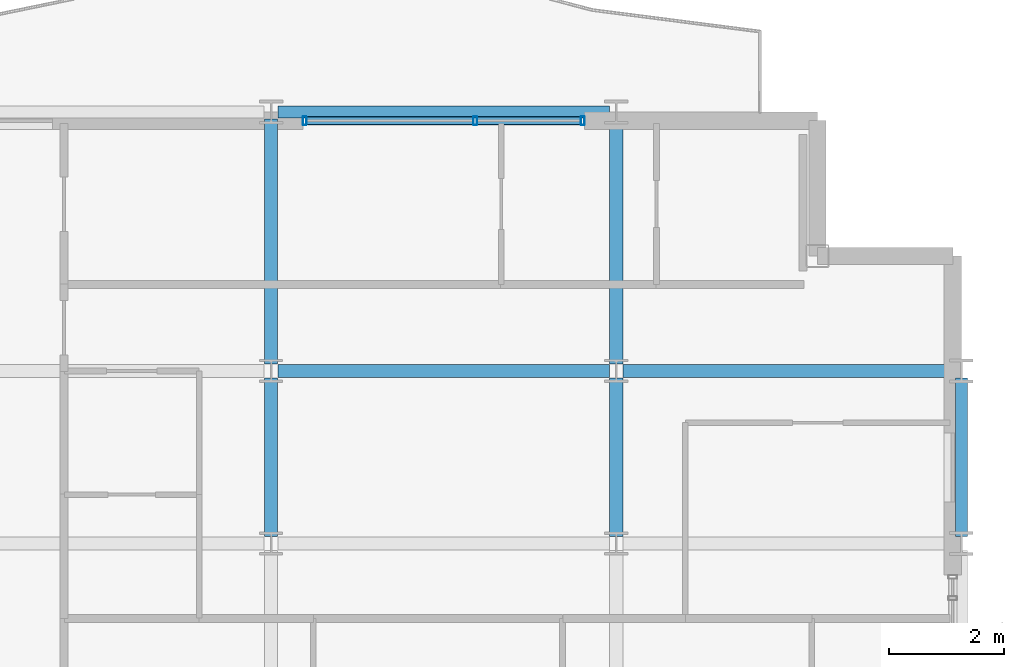
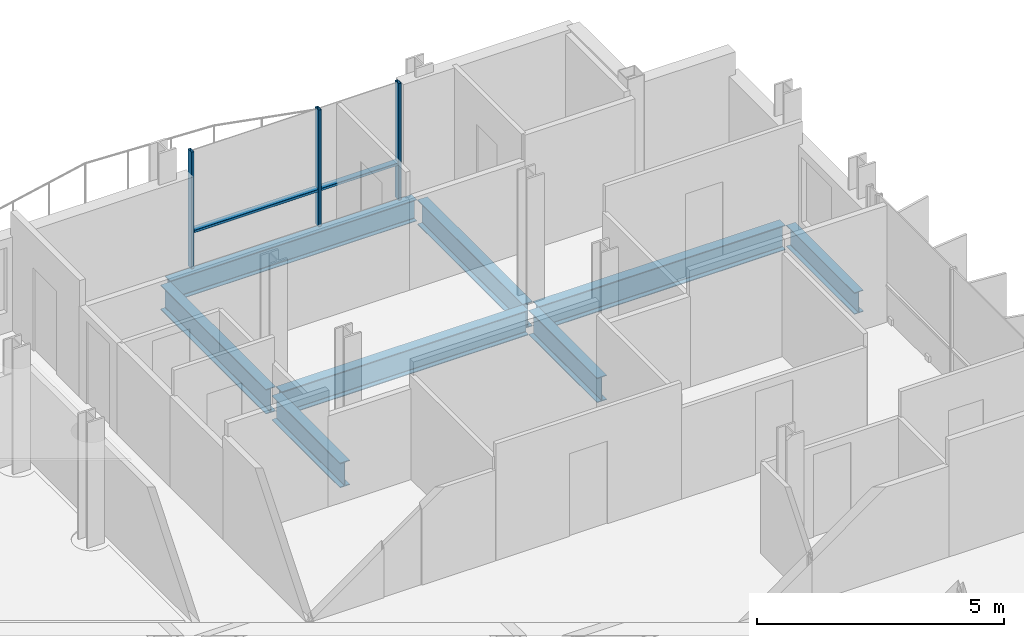
# One storey, part 22 of 40: 8 beams, 5 members, 1 element without a shape of its own.
"""IFC4 building model written with IfcOpenShell, lengths in metres."""

import ifcopenshell
import ifcopenshell.guid

model = None  # the IFC model being written
_history = None  # IfcOwnerHistory: only IFC2X3 demands one
_inside = {}  # id of a spatial element -> (the spatial element, [elements in it])
_under = {}  # id of a project, library or spatial element -> (it, [spatial elements below it])
_declared = {}  # id of a project -> (the project, [libraries it declares])
_typed = {}  # id of a type object -> (the type object, [elements of that type])
_made_of = {}  # id of a material, layer set ... -> (it, [elements and type objects made of it])


def new_model(schema):
    """Start an empty IFC model of exactly this schema.

    Asked for "IFC4X3", IfcOpenShell would pick the latest addendum, in which some entities
    have other attributes; the version numbers below select the first issue.
    IFC2X3 requires an IfcOwnerHistory on every rooted entity: one is made here for all.
    """
    global model, _history
    if schema == "IFC4X3":
        model = ifcopenshell.file(schema_version=(4, 3, 0, 0))
    else:
        model = ifcopenshell.file(schema=schema)
    _inside.clear()
    _under.clear()
    _declared.clear()
    _typed.clear()
    _made_of.clear()
    _history = None
    if model.schema == "IFC2X3":
        org = make("IfcOrganization", Name="unknown")
        user = make(
            "IfcPersonAndOrganization",
            ThePerson=make("IfcPerson", FamilyName="unknown"),
            TheOrganization=org,
        )
        app = make(
            "IfcApplication",
            ApplicationDeveloper=org,
            Version="unknown",
            ApplicationFullName="unknown",
            ApplicationIdentifier="unknown",
        )
        _history = make(
            "IfcOwnerHistory",
            OwningUser=user,
            OwningApplication=app,
            ChangeAction="ADDED",
            CreationDate=0,
        )
    return model


def make(cls, **values):
    """One entity of the class cls with the attributes given. An attribute that is None is left unset."""
    return model.create_entity(
        cls, **{name: value for name, value in values.items() if value is not None}
    )


def rooted(cls, **values):
    """An entity with a GlobalId (a new one), such as an element, a storey or a relation."""
    return make(cls, GlobalId=ifcopenshell.guid.new(), OwnerHistory=_history, **values)


def si_unit(unit_type, name, prefix=None):
    """IfcSIUnit, for example si_unit("LENGTHUNIT", "METRE", prefix="MILLI")."""
    return make("IfcSIUnit", UnitType=unit_type, Prefix=prefix, Name=name)


def assignment(units):
    """IfcUnitAssignment: the units of a project."""
    return None if units is None else make("IfcUnitAssignment", Units=units)


def point(xyz):
    """IfcCartesianPoint."""
    return None if xyz is None else make("IfcCartesianPoint", Coordinates=xyz)


def direction(xyz):
    """IfcDirection."""
    return None if xyz is None else make("IfcDirection", DirectionRatios=xyz)


def frame(location, z_axis=None, x_axis=None):
    """IfcAxis2Placement3D, a coordinate frame: its origin and axes. An axis left out is left unset."""
    return make(
        "IfcAxis2Placement3D",
        Location=point(location),
        Axis=direction(z_axis),
        RefDirection=direction(x_axis),
    )


def frame_2d(location, x_axis=None):
    """IfcAxis2Placement2D, a coordinate frame in the plane: its origin and x axis."""
    return make(
        "IfcAxis2Placement2D", Location=point(location), RefDirection=direction(x_axis)
    )


def origin():
    """The frame at (0, 0, 0) with its axes left unset."""
    return frame((0.0, 0.0, 0.0))


def origin_2d():
    """The frame at (0, 0) in the plane with its x axis left unset."""
    return frame_2d((0.0, 0.0))


def place(relative_to, where):
    """IfcLocalPlacement: puts the frame where relative to a parent placement (None: the world)."""
    return make(
        "IfcLocalPlacement", PlacementRelTo=relative_to, RelativePlacement=where
    )


def context(
    kind, dimensions, precision=None, world=None, true_north=None, identifier=None
):
    """IfcGeometricRepresentationContext, for example the 3D "Model" context."""
    return make(
        "IfcGeometricRepresentationContext",
        ContextIdentifier=identifier,
        ContextType=kind,
        CoordinateSpaceDimension=dimensions,
        Precision=precision,
        WorldCoordinateSystem=world,
        TrueNorth=true_north,
    )


def subcontext(parent, identifier, kind, view, scale=None):
    """IfcGeometricRepresentationSubContext, for example "Body" below "Model"."""
    return make(
        "IfcGeometricRepresentationSubContext",
        ContextIdentifier=identifier,
        ContextType=kind,
        ParentContext=parent,
        TargetScale=scale,
        TargetView=view,
    )


def project(units=None, contexts=None):
    """IfcProject with its units and contexts."""
    return rooted(
        "IfcProject",
        Name="project",
        RepresentationContexts=contexts,
        UnitsInContext=assignment(units),
    )


def spatial(cls, under=None, at=None, **own):
    """A site, building, storey or space (cls), placed at a placement, below another one or the project."""
    s = rooted(cls, ObjectPlacement=at, **own)
    if under is not None:
        _under.setdefault(under.id(), (under, []))[1].append(s)
    return s


def profile(cls, at=None, kind="AREA", **sizes):
    """A parametric profile (cls). Its sizes go by their IFC names, for example OverallWidth=200.0."""
    return make(cls, ProfileType=kind, Position=at, **sizes)


def hollow_rectangle(**sizes):
    """IfcRectangleHollowProfileDef."""
    return profile("IfcRectangleHollowProfileDef", **sizes)


def i_section(**sizes):
    """IfcIShapeProfileDef."""
    return profile("IfcIShapeProfileDef", **sizes)


def extrude(swept, where, along, depth):
    """IfcExtrudedAreaSolid: the profile swept, set in the frame where, extruded along a direction by depth."""
    return make(
        "IfcExtrudedAreaSolid",
        SweptArea=swept,
        Position=where,
        ExtrudedDirection=direction(along),
        Depth=depth,
    )


def shape(context_of_items, identifier, shape_type, items):
    """IfcShapeRepresentation: the items that make up one representation, for example the "Body"."""
    return make(
        "IfcShapeRepresentation",
        ContextOfItems=context_of_items,
        RepresentationIdentifier=identifier,
        RepresentationType=shape_type,
        Items=items,
    )


def material(Name=None, Category=None):
    """IfcMaterial."""
    return make("IfcMaterial", Name=Name, Category=Category)


def layer(
    of_material, thickness, ventilated=None, Name=None, Category=None, Priority=None
):
    """IfcMaterialLayer: one layer of a wall or slab, of a material (None: an air gap)."""
    return make(
        "IfcMaterialLayer",
        Material=of_material,
        LayerThickness=thickness,
        IsVentilated=ventilated,
        Name=Name,
        Category=Category,
        Priority=Priority,
    )


def layer_set(layers, Name=None):
    """IfcMaterialLayerSet."""
    return make("IfcMaterialLayerSet", MaterialLayers=layers, LayerSetName=Name)


def material_profile(
    of_material, cross_section, Name=None, Category=None, Priority=None
):
    """IfcMaterialProfile: a cross section and its material."""
    return make(
        "IfcMaterialProfile",
        Name=Name,
        Material=of_material,
        Profile=cross_section,
        Priority=Priority,
        Category=Category,
    )


def profile_set(profiles, Name=None, composite=None):
    """IfcMaterialProfileSet."""
    return make(
        "IfcMaterialProfileSet",
        Name=Name,
        MaterialProfiles=profiles,
        CompositeProfile=composite,
    )


def made_of(thing, what):
    """Note that an element or type object is made of a material, layer set ...; save() writes the relation."""
    if what is not None:
        _made_of.setdefault(what.id(), (what, []))[1].append(thing)
    return thing


def type_object(cls, material=None, **own):
    """A type object (cls), such as IfcWallType, which elements share."""
    return made_of(rooted(cls, **own), material)


def element(
    cls,
    number,
    at=None,
    inside=None,
    cuts=None,
    type_object=None,
    material=None,
    context=None,
    identifier="Body",
    shape_type=None,
    held_by="IfcProductDefinitionShape",
    body=None,
    shapes=None,
    **own,
):
    """One element of the class cls, such as IfcWall. Its Tag is "e" and its number.

    at: its placement. inside: the storey or other place that contains it. cuts: it is an
    opening in that element (IfcRelVoidsElement). A single representation is given by context,
    identifier, shape_type and body (its items); several are given by shapes. held_by: the class
    of the entity that holds the representations. save() writes the other relations.
    """
    e = rooted(cls, Tag="e%d" % number, ObjectPlacement=at, **own)
    if body is not None:
        shapes = [shape(context, identifier, shape_type, body)]
    if shapes is not None:
        e.Representation = make(held_by, Representations=shapes)
    if inside is not None:
        _inside.setdefault(inside.id(), (inside, []))[1].append(e)
    if cuts is not None:
        rooted(
            "IfcRelVoidsElement", RelatingBuildingElement=cuts, RelatedOpeningElement=e
        )
    if type_object is not None:
        _typed.setdefault(type_object.id(), (type_object, []))[1].append(e)
    return made_of(e, material)


def aggregate(whole, parts):
    """IfcRelAggregates: a whole, such as a stair, and the parts it consists of."""
    return rooted("IfcRelAggregates", RelatingObject=whole, RelatedObjects=parts)


def save(model, path):
    """Write the relations noted so far, then the file.

    IfcRelAggregates (storeys below a building ...), IfcRelContainedInSpatialStructure (elements
    in a storey), IfcRelDefinesByType, IfcRelAssociatesMaterial and IfcRelDeclares: one each for
    every whole, place, type object, material and project.
    """
    for whole, parts in _under.values():
        aggregate(whole, parts)
    for where, things in _inside.values():
        rooted(
            "IfcRelContainedInSpatialStructure",
            RelatedElements=things,
            RelatingStructure=where,
        )
    for kind, things in _typed.values():
        rooted("IfcRelDefinesByType", RelatedObjects=things, RelatingType=kind)
    for what, things in _made_of.values():
        rooted("IfcRelAssociatesMaterial", RelatedObjects=things, RelatingMaterial=what)
    for by, libraries in _declared.values():
        rooted("IfcRelDeclares", RelatingContext=by, RelatedDefinitions=libraries)
    model.write(path)


model = new_model("IFC4")

# Units and contexts
model_context = context("Model", 3, precision=1e-05, world=origin(), true_north=direction((0.0, 1.0)))
body_context = subcontext(model_context, "Body", "Model", "MODEL_VIEW")
ifc_project = project(units=[si_unit("LENGTHUNIT", "METRE"), si_unit("AREAUNIT", "SQUARE_METRE"), si_unit("VOLUMEUNIT", "CUBIC_METRE"), si_unit("PLANEANGLEUNIT", "RADIAN"), si_unit("MASSUNIT", "GRAM", prefix="KILO")], contexts=[model_context])

# Site, building, storey
site_placement = place(None, origin())
site = spatial("IfcSite", under=ifc_project, at=site_placement, CompositionType="ELEMENT")
building_placement = place(site_placement, origin())
building = spatial("IfcBuilding", under=site, at=building_placement, Name="Brevholm Reach", CompositionType="ELEMENT")
storey_placement = place(building_placement, frame((0.0, 0.0, 160.39990234375)))
storey = spatial("IfcBuildingStorey", under=building, at=storey_placement, Name="L48", CompositionType="ELEMENT", Elevation=160.39990234375)

# Beams
ifc_material_1 = material(Name="Structural Steel S355J2", Category="steel")
ifc_material_profile_1 = material_profile(ifc_material_1, i_section(OverallWidth=0.209228515625, OverallDepth=0.533203125, WebThickness=0.010009765625, FlangeThickness=0.015625, FilletRadius=0.0126953125, at=origin_2d()), Name="UKB 533x210x92")
ifc_profile_set_1 = profile_set([ifc_material_profile_1], Name="Structural Steel S355J2")
beam_type_1 = type_object("IfcBeamType", Name="BM-SP533", PredefinedType="SPANDREL", material=ifc_profile_set_1)
beam_1_placement = place(storey_placement, frame((48.1201171875, 31.0, -0.486572265625), z_axis=(1.0, 0.0, 0.0), x_axis=(0.0, 1.0, 0.0)))
element("IfcBeam", 1, at=beam_1_placement, inside=storey, type_object=beam_type_1, Name="L48 SP-02 Framing Beam", PredefinedType="SPANDREL", context=body_context, shape_type="SweptSolid", body=[
    extrude(i_section(OverallWidth=0.209228515625, OverallDepth=0.533203125, WebThickness=0.010009765625, FlangeThickness=0.015625, FilletRadius=0.0126953125, at=origin_2d()), origin(), (0.0, 0.0, 1.0), 5.759765625),
])
beam_2_placement = place(storey_placement, frame((60.0, 23.6201171875, -0.486572265625), z_axis=(0.0, 1.0, 0.0), x_axis=(-1.0, 0.0, 0.0)))
element("IfcBeam", 2, at=beam_2_placement, inside=storey, type_object=beam_type_1, Name="L48 SP-02 Framing Beam", PredefinedType="SPANDREL", context=body_context, shape_type="SweptSolid", body=[
    extrude(i_section(OverallWidth=0.209228515625, OverallDepth=0.533203125, WebThickness=0.010009765625, FlangeThickness=0.015625, FilletRadius=0.0126953125, at=origin_2d()), origin(), (0.0, 0.0, 1.0), 2.759765625),
])
ifc_material_2 = material(Name="Structural Steel S355J2", Category="steel")
ifc_material_profile_2 = material_profile(ifc_material_2, i_section(OverallWidth=0.22900390625, OverallDepth=0.6123046875, WebThickness=0.011962890625, FlangeThickness=0.01953125, FilletRadius=0.0126953125, at=origin_2d()), Name="UKB 610x229x125")
ifc_profile_set_2 = profile_set([ifc_material_profile_2], Name="Structural Steel S355J2")
beam_type_2 = type_object("IfcBeamType", Name="BM-SP610", PredefinedType="SPANDREL", material=ifc_profile_set_2)
for number, where, z_axis, x_axis, name in (
    (3, (48.1201171875, 26.5, -0.526123046875), (1.0, 0.0, 0.0), (0.0, 1.0, 0.0), "L48 SP-01 Framing Beam"),
    (4, (54.1201171875, 26.5, -0.526123046875), (1.0, 0.0, 0.0), (0.0, 1.0, 0.0), "L48 SP-01 Framing Beam"),
):
    element("IfcBeam", number, at=place(storey_placement, frame(where, z_axis=z_axis, x_axis=x_axis)), inside=storey, type_object=beam_type_2, Name=name, PredefinedType="SPANDREL", context=body_context, shape_type="SweptSolid", body=[
        extrude(i_section(OverallWidth=0.22900390625, OverallDepth=0.6123046875, WebThickness=0.011962890625, FlangeThickness=0.01953125, FilletRadius=0.0126953125, at=origin_2d()), origin(), (0.0, 0.0, 1.0), 5.759765625),
    ])
beam_3_placement = place(storey_placement, frame((48.0, 23.6201171875, -0.526123046875), z_axis=(0.0, 1.0, 0.0), x_axis=(-1.0, 0.0, 0.0)))
element("IfcBeam", 5, at=beam_3_placement, inside=storey, type_object=beam_type_2, Name="L48 SP-01 Framing Beam", PredefinedType="SPANDREL", context=body_context, shape_type="SweptSolid", body=[
    extrude(i_section(OverallWidth=0.22900390625, OverallDepth=0.6123046875, WebThickness=0.011962890625, FlangeThickness=0.01953125, FilletRadius=0.0126953125, at=origin_2d()), origin(), (0.0, 0.0, 1.0), 2.759765625),
])
beam_4_placement = place(storey_placement, frame((48.0, 26.6201171875, -0.526123046875), z_axis=(0.0, 1.0, 0.0), x_axis=(-1.0, 0.0, 0.0)))
element("IfcBeam", 6, at=beam_4_placement, inside=storey, type_object=beam_type_2, Name="L48 SP-01 Framing Beam", PredefinedType="SPANDREL", context=body_context, shape_type="SweptSolid", body=[
    extrude(i_section(OverallWidth=0.22900390625, OverallDepth=0.6123046875, WebThickness=0.011962890625, FlangeThickness=0.01953125, FilletRadius=0.0126953125, at=origin_2d()), origin(), (0.0, 0.0, 1.0), 4.259765625),
])
beam_5_placement = place(storey_placement, frame((54.0, 23.6201171875, -0.526123046875), z_axis=(0.0, 1.0, 0.0), x_axis=(-1.0, 0.0, 0.0)))
element("IfcBeam", 7, at=beam_5_placement, inside=storey, type_object=beam_type_2, Name="L48 SP-01 Framing Beam", PredefinedType="SPANDREL", context=body_context, shape_type="SweptSolid", body=[
    extrude(i_section(OverallWidth=0.22900390625, OverallDepth=0.6123046875, WebThickness=0.011962890625, FlangeThickness=0.01953125, FilletRadius=0.0126953125, at=origin_2d()), origin(), (0.0, 0.0, 1.0), 2.759765625),
])
beam_6_placement = place(storey_placement, frame((54.0, 26.6201171875, -0.526123046875), z_axis=(0.0, 1.0, 0.0), x_axis=(-1.0, 0.0, 0.0)))
element("IfcBeam", 8, at=beam_6_placement, inside=storey, type_object=beam_type_2, Name="L48 SP-01 Framing Beam", PredefinedType="SPANDREL", context=body_context, shape_type="SweptSolid", body=[
    extrude(i_section(OverallWidth=0.22900390625, OverallDepth=0.6123046875, WebThickness=0.011962890625, FlangeThickness=0.01953125, FilletRadius=0.0126953125, at=origin_2d()), origin(), (0.0, 0.0, 1.0), 4.259765625),
])

# Curtain wall, members
ifc_material_3 = material(Name="Dark Anodised Aluminium 6063-T6 and Solar-Control Glass", Category="aluminium")
ifc_layer = layer(ifc_material_3, 0.14990234375)
ifc_layer_set = layer_set([ifc_layer], Name="Dark Anodised Aluminium 6063-T6 and Solar-Control Glass")
curtain_wall_type = type_object("IfcCurtainWallType", Name="CW-01", PredefinedType="NOTDEFINED", material=ifc_layer_set)
curtain_wall_placement = place(storey_placement, origin())
curtain_wall = element("IfcCurtainWall", 9, at=curtain_wall_placement, inside=storey, type_object=curtain_wall_type, Name="L48 Curtain Wall CW-01", PredefinedType="NOTDEFINED")
ifc_material_4 = material(Name="Dark Anodised Aluminium 6063-T6", Category="aluminium")
ifc_material_profile_3 = material_profile(ifc_material_4, hollow_rectangle(XDim=0.06494140625, YDim=0.14990234375, WallThickness=0.0048828125, InnerFilletRadius=0.0048828125, OuterFilletRadius=0.010009765625, at=origin_2d()), Name="RHS 150x65x5")
ifc_profile_set_3 = profile_set([ifc_material_profile_3], Name="Dark Anodised Aluminium 6063-T6")
member_type_1 = type_object("IfcMemberType", Name="CWM-150", PredefinedType="MULLION", material=ifc_profile_set_3)
member_1_placement = place(storey_placement, frame((48.58251953125, 30.85009765625, 0.0), z_axis=(0.0, 0.0, 1.0), x_axis=(1.0, 0.0, 0.0)))
member_1 = element("IfcMember", 10, at=member_1_placement, type_object=member_type_1, Name="CM-150 Mullion 1", PredefinedType="MULLION", context=body_context, shape_type="SweptSolid", body=[
    extrude(hollow_rectangle(XDim=0.06494140625, YDim=0.14990234375, WallThickness=0.0048828125, InnerFilletRadius=0.0048828125, OuterFilletRadius=0.010009765625, at=origin_2d()), origin(), (0.0, 0.0, 1.0), 2.880126953125),
])
member_2_placement = place(storey_placement, frame((51.550048828125, 30.85009765625, 0.0), z_axis=(0.0, 0.0, 1.0), x_axis=(1.0, 0.0, 0.0)))
member_2 = element("IfcMember", 11, at=member_2_placement, type_object=member_type_1, Name="CM-150 Mullion 2", PredefinedType="MULLION", context=body_context, shape_type="SweptSolid", body=[
    extrude(hollow_rectangle(XDim=0.06494140625, YDim=0.14990234375, WallThickness=0.0048828125, InnerFilletRadius=0.0048828125, OuterFilletRadius=0.010009765625, at=origin_2d()), origin(), (0.0, 0.0, 1.0), 2.880126953125),
])
member_3_placement = place(storey_placement, frame((53.41748046875, 30.85009765625, 0.0), z_axis=(0.0, 0.0, 1.0), x_axis=(1.0, 0.0, 0.0)))
member_3 = element("IfcMember", 12, at=member_3_placement, type_object=member_type_1, Name="CM-150 Mullion 3", PredefinedType="MULLION", context=body_context, shape_type="SweptSolid", body=[
    extrude(hollow_rectangle(XDim=0.06494140625, YDim=0.14990234375, WallThickness=0.0048828125, InnerFilletRadius=0.0048828125, OuterFilletRadius=0.010009765625, at=origin_2d()), origin(), (0.0, 0.0, 1.0), 2.880126953125),
])
ifc_material_5 = material(Name="Dark Anodised Aluminium 6063-T6", Category="aluminium")
ifc_material_profile_4 = material_profile(ifc_material_5, hollow_rectangle(XDim=0.06494140625, YDim=0.14990234375, WallThickness=0.0048828125, InnerFilletRadius=0.0048828125, OuterFilletRadius=0.010009765625, at=origin_2d()), Name="RHS 150x65x5")
ifc_profile_set_4 = profile_set([ifc_material_profile_4], Name="Dark Anodised Aluminium 6063-T6")
member_type_2 = type_object("IfcMemberType", Name="CWT-150", PredefinedType="NOTDEFINED", material=ifc_profile_set_4)
member_4_placement = place(storey_placement, frame((48.614990234375, 30.85009765625, 0.900146484375), z_axis=(1.0, 0.0, 0.0), x_axis=(0.0, 0.0, 1.0)))
member_4 = element("IfcMember", 13, at=member_4_placement, type_object=member_type_2, Name="CT-150 Transom 1.1", ObjectType="TRANSOM", PredefinedType="USERDEFINED", context=body_context, shape_type="SweptSolid", body=[
    extrude(hollow_rectangle(XDim=0.06494140625, YDim=0.14990234375, WallThickness=0.0048828125, InnerFilletRadius=0.0048828125, OuterFilletRadius=0.010009765625, at=origin_2d()), origin(), (0.0, 0.0, 1.0), 2.902587890625),
])
member_5_placement = place(storey_placement, frame((51.58251953125, 30.85009765625, 0.900146484375), z_axis=(1.0, 0.0, 0.0), x_axis=(0.0, 0.0, 1.0)))
member_5 = element("IfcMember", 14, at=member_5_placement, type_object=member_type_2, Name="CT-150 Transom 2.1", ObjectType="TRANSOM", PredefinedType="USERDEFINED", context=body_context, shape_type="SweptSolid", body=[
    extrude(hollow_rectangle(XDim=0.06494140625, YDim=0.14990234375, WallThickness=0.0048828125, InnerFilletRadius=0.0048828125, OuterFilletRadius=0.010009765625, at=origin_2d()), origin(), (0.0, 0.0, 1.0), 1.802490234375),
])
aggregate(curtain_wall, [member_1, member_2, member_3, member_4, member_5])

save(model, "model.ifc")
